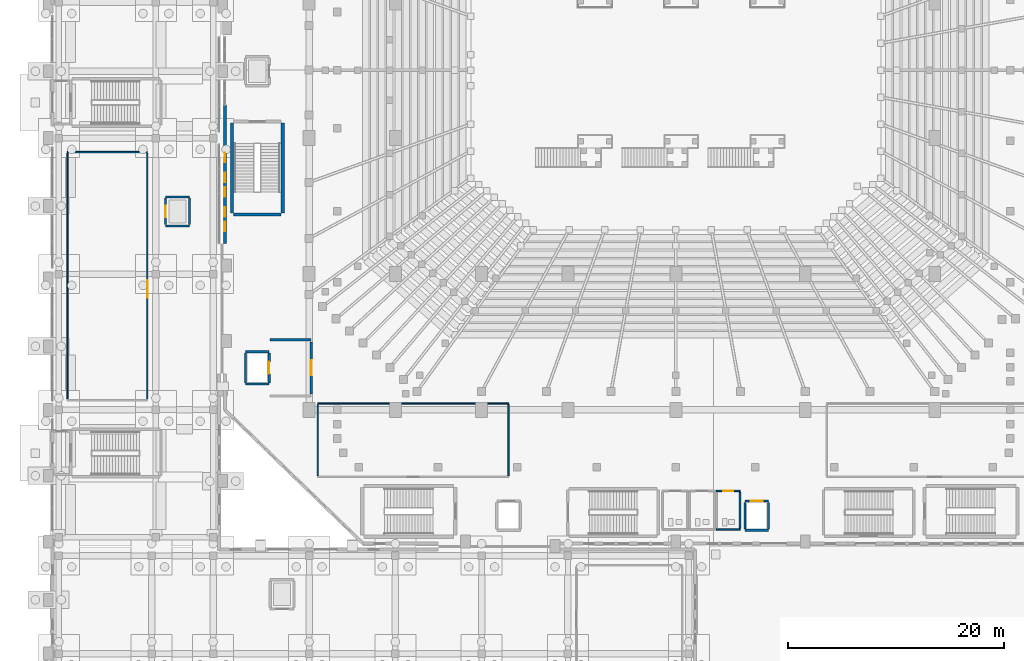
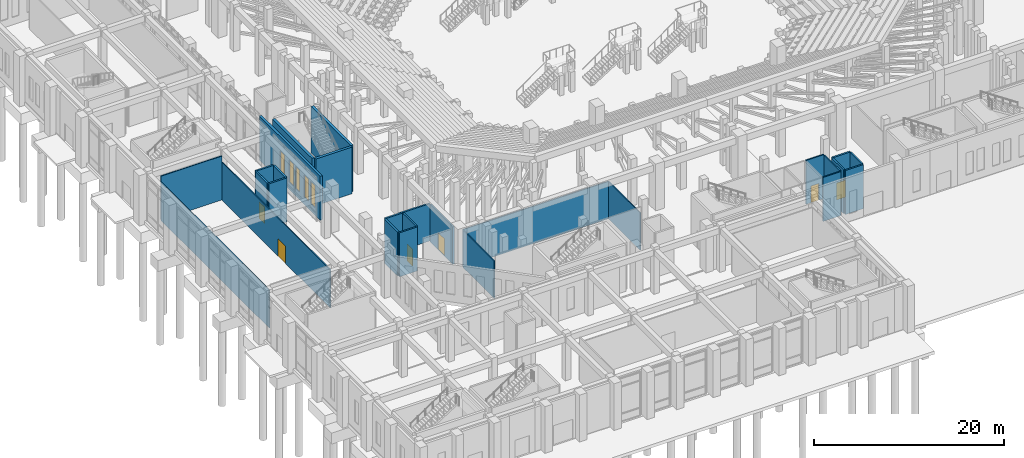
# One storey, part 107 of 143: 27 walls, 6 doors, 5 windows, 11 openings.
"""IFC4 building model written with IfcOpenShell, lengths in metres."""

from ifc_helpers import new_model, si_unit, derived_unit, direction, frame, frame_2d, origin, place, context, subcontext, project, spatial, rectangle, extrude, material, layer, layer_set, type_object, element, fill, save


model = new_model("IFC4")

# Units and contexts
model_context = context("Model", 3, precision=1e-05, world=origin(), true_north=direction((0.0, 1.0)))
body_context = subcontext(model_context, "Body", "Model", "MODEL_VIEW")
ifc_project = project(units=[si_unit("LENGTHUNIT", "METRE"), si_unit("AREAUNIT", "SQUARE_METRE"), si_unit("VOLUMEUNIT", "CUBIC_METRE"), si_unit("PLANEANGLEUNIT", "RADIAN"), si_unit("MASSUNIT", "GRAM", prefix="KILO"), derived_unit("THERMALTRANSMITTANCEUNIT", [(si_unit("MASSUNIT", "GRAM", prefix="KILO"), 1), (si_unit("TIMEUNIT", "SECOND"), -3), (si_unit("THERMODYNAMICTEMPERATUREUNIT", "KELVIN"), -1)])], contexts=[model_context])

# Site, building, storey
site_placement = place(None, origin())
site = spatial("IfcSite", under=ifc_project, at=site_placement, CompositionType="ELEMENT")
building_placement = place(site_placement, origin())
building = spatial("IfcBuilding", under=site, at=building_placement, Name="Valcora Ridge Arena", CompositionType="ELEMENT")
storey_placement = place(building_placement, origin())
storey = spatial("IfcBuildingStorey", under=building, at=storey_placement, Name="L00", CompositionType="ELEMENT", Elevation=0.0)

# Wall, openings, windows
ifc_material_1 = material(Name="Bush-hammered Andean travertine on concrete backup C40/50", Category="masonry")
ifc_layer_1 = layer(ifc_material_1, 0.280029296875, Name="Bush-hammered Andean travertine on concrete backup C40/50")
ifc_layer_set_1 = layer_set([ifc_layer_1], Name="Bush-hammered Andean travertine on concrete backup C40/50")
wall_type_1 = type_object("IfcWallType", Name="TY-WALL-EW-TRV-28-56", PredefinedType="STANDARD", material=ifc_layer_set_1)
wall_1_placement = place(storey_placement, frame((16.199951171875, 48.050048828125, 0.0), z_axis=(0.0, 0.0, 1.0), x_axis=(0.0, 1.0, 0.0)))
wall_1 = element("IfcWall", 1, at=wall_1_placement, inside=storey, type_object=wall_type_1, Name="EW-TRV-28-56 WAL-EW-0026", PredefinedType="STANDARD", context=body_context, shape_type="SweptSolid", body=[
    extrude(rectangle(XDim=12.800048828125, YDim=0.280029296875, at=frame_2d((6.39990234375, 0.0))), origin(), (0.0, 0.0, 1.0), 5.639892578125),
])
opening_1_placement = place(wall_1_placement, frame((1.10009765625, 0.0, 0.949951171875)))
opening_1 = element("IfcOpeningElement", 2, at=opening_1_placement, cuts=wall_1, Name="Opening W-GLAN-90X285", PredefinedType="OPENING", context=body_context, shape_type="SweptSolid", body=[
    extrude(rectangle(XDim=0.89990234375, YDim=2.85009765625, at=frame_2d((0.449951171875, 1.425048828125))), frame((0.0, 0.14990234375, 0.0), z_axis=(0.0, -1.0, 0.0), x_axis=(1.0, 0.0, 0.0)), (0.0, 0.0, 1.0), 0.300048828125),
])
opening_2_placement = place(wall_1_placement, frame((2.449951171875, 0.0, 0.949951171875)))
opening_2 = element("IfcOpeningElement", 3, at=opening_2_placement, cuts=wall_1, Name="Opening W-GLAN-90X285", PredefinedType="OPENING", context=body_context, shape_type="SweptSolid", body=[
    extrude(rectangle(XDim=0.89990234375, YDim=2.85009765625, at=frame_2d((0.449951171875, 1.425048828125))), frame((0.0, 0.14990234375, 0.0), z_axis=(0.0, -1.0, 0.0), x_axis=(1.0, 0.0, 0.0)), (0.0, 0.0, 1.0), 0.300048828125),
])
opening_3_placement = place(wall_1_placement, frame((4.300048828125, 0.0, 0.949951171875)))
opening_3 = element("IfcOpeningElement", 4, at=opening_3_placement, cuts=wall_1, Name="Opening W-GLAN-90X285", PredefinedType="OPENING", context=body_context, shape_type="SweptSolid", body=[
    extrude(rectangle(XDim=0.89990234375, YDim=2.85009765625, at=frame_2d((0.449951171875, 1.425048828125))), frame((0.0, 0.14990234375, 0.0), z_axis=(0.0, -1.0, 0.0), x_axis=(1.0, 0.0, 0.0)), (0.0, 0.0, 1.0), 0.300048828125),
])
opening_4_placement = place(wall_1_placement, frame((5.64990234375, 0.0, 0.949951171875)))
opening_4 = element("IfcOpeningElement", 5, at=opening_4_placement, cuts=wall_1, Name="Opening W-GLAN-90X285", PredefinedType="OPENING", context=body_context, shape_type="SweptSolid", body=[
    extrude(rectangle(XDim=0.89990234375, YDim=2.85009765625, at=frame_2d((0.449951171875, 1.425048828125))), frame((0.0, 0.14990234375, 0.0), z_axis=(0.0, -1.0, 0.0), x_axis=(1.0, 0.0, 0.0)), (0.0, 0.0, 1.0), 0.300048828125),
])
opening_5_placement = place(wall_1_placement, frame((7.5, 0.0, 0.949951171875)))
opening_5 = element("IfcOpeningElement", 6, at=opening_5_placement, cuts=wall_1, Name="Opening W-GLAN-90X285", PredefinedType="OPENING", context=body_context, shape_type="SweptSolid", body=[
    extrude(rectangle(XDim=0.89990234375, YDim=2.85009765625, at=frame_2d((0.449951171875, 1.425048828125))), frame((0.0, 0.14990234375, 0.0), z_axis=(0.0, -1.0, 0.0), x_axis=(1.0, 0.0, 0.0)), (0.0, 0.0, 1.0), 0.300048828125),
])
ifc_material_2 = material(Name="Low-iron solar-control double glazing SHGC 0.28", Category="glass")
window_type = type_object("IfcWindowType", Name="TY-WINDOW-W-GLAN-90X285", PartitioningType="DOUBLE_PANEL_VERTICAL", PredefinedType="WINDOW", material=ifc_material_2)
window_1_placement = place(opening_1_placement, origin())
window_1 = element("IfcWindow", 7, at=window_1_placement, inside=storey, type_object=window_type, Name="W-GLAN-90X285 WIN-EX-0025", OverallHeight=2.85009765625, OverallWidth=0.89990234375, PartitioningType="DOUBLE_PANEL_VERTICAL", PredefinedType="WINDOW", context=body_context, shape_type="SweptSolid", body=[
    extrude(rectangle(XDim=0.89990234375, YDim=2.85009765625, at=frame_2d((0.449951171875, 1.425048828125))), frame((0.0, 0.030029296875, 0.0), z_axis=(0.0, -1.0, 0.0), x_axis=(1.0, 0.0, 0.0)), (0.0, 0.0, 1.0), 0.06005859375),
])
fill(opening_1, window_1)
window_2_placement = place(opening_2_placement, origin())
window_2 = element("IfcWindow", 8, at=window_2_placement, inside=storey, type_object=window_type, Name="W-GLAN-90X285 WIN-EX-0026", OverallHeight=2.85009765625, OverallWidth=0.89990234375, PartitioningType="DOUBLE_PANEL_VERTICAL", PredefinedType="WINDOW", context=body_context, shape_type="SweptSolid", body=[
    extrude(rectangle(XDim=0.89990234375, YDim=2.85009765625, at=frame_2d((0.449951171875, 1.425048828125))), frame((0.0, 0.030029296875, 0.0), z_axis=(0.0, -1.0, 0.0), x_axis=(1.0, 0.0, 0.0)), (0.0, 0.0, 1.0), 0.06005859375),
])
fill(opening_2, window_2)
window_3_placement = place(opening_3_placement, origin())
window_3 = element("IfcWindow", 9, at=window_3_placement, inside=storey, type_object=window_type, Name="W-GLAN-90X285 WIN-EX-0027", OverallHeight=2.85009765625, OverallWidth=0.89990234375, PartitioningType="DOUBLE_PANEL_VERTICAL", PredefinedType="WINDOW", context=body_context, shape_type="SweptSolid", body=[
    extrude(rectangle(XDim=0.89990234375, YDim=2.85009765625, at=frame_2d((0.449951171875, 1.425048828125))), frame((0.0, 0.030029296875, 0.0), z_axis=(0.0, -1.0, 0.0), x_axis=(1.0, 0.0, 0.0)), (0.0, 0.0, 1.0), 0.06005859375),
])
fill(opening_3, window_3)
window_4_placement = place(opening_4_placement, origin())
window_4 = element("IfcWindow", 10, at=window_4_placement, inside=storey, type_object=window_type, Name="W-GLAN-90X285 WIN-EX-0028", OverallHeight=2.85009765625, OverallWidth=0.89990234375, PartitioningType="DOUBLE_PANEL_VERTICAL", PredefinedType="WINDOW", context=body_context, shape_type="SweptSolid", body=[
    extrude(rectangle(XDim=0.89990234375, YDim=2.85009765625, at=frame_2d((0.449951171875, 1.425048828125))), frame((0.0, 0.030029296875, 0.0), z_axis=(0.0, -1.0, 0.0), x_axis=(1.0, 0.0, 0.0)), (0.0, 0.0, 1.0), 0.06005859375),
])
fill(opening_4, window_4)
window_5_placement = place(opening_5_placement, origin())
window_5 = element("IfcWindow", 11, at=window_5_placement, inside=storey, type_object=window_type, Name="W-GLAN-90X285 WIN-EX-0029", OverallHeight=2.85009765625, OverallWidth=0.89990234375, PartitioningType="DOUBLE_PANEL_VERTICAL", PredefinedType="WINDOW", context=body_context, shape_type="SweptSolid", body=[
    extrude(rectangle(XDim=0.89990234375, YDim=2.85009765625, at=frame_2d((0.449951171875, 1.425048828125))), frame((0.0, 0.030029296875, 0.0), z_axis=(0.0, -1.0, 0.0), x_axis=(1.0, 0.0, 0.0)), (0.0, 0.0, 1.0), 0.06005859375),
])
fill(opening_5, window_5)

# Wall
ifc_material_3 = material(Name="Fire-rated masonry-core compartment wall C35/45 150 mm", Category="masonry")
ifc_layer_2 = layer(ifc_material_3, 0.14990234375, Name="Fire-rated masonry-core compartment wall C35/45 150 mm")
ifc_layer_set_2 = layer_set([ifc_layer_2], Name="Fire-rated masonry-core compartment wall C35/45 150 mm")
wall_type_2 = type_object("IfcWallType", Name="TY-WALL-IW-COMP-150", PredefinedType="STANDARD", material=ifc_layer_set_2)
wall_2_placement = place(storey_placement, frame((61.75, 21.5, 0.0), z_axis=(0.0, 0.0, 1.0), x_axis=(1.0, 0.0, 0.0)))
element("IfcWall", 12, at=wall_2_placement, inside=storey, type_object=wall_type_2, Name="IW-COMP-150 WAL-IN-0067", PredefinedType="STANDARD", context=body_context, shape_type="SweptSolid", body=[
    extrude(rectangle(XDim=2.199951171875, YDim=0.14990234375, at=frame_2d((1.10009765625, 0.0))), origin(), (0.0, 0.0, 1.0), 5.639892578125),
])

# Wall, opening, door
wall_3_placement = place(storey_placement, frame((61.75, 25.10009765625, 0.0), z_axis=(0.0, 0.0, 1.0), x_axis=(1.0, 0.0, 0.0)))
wall_3 = element("IfcWall", 13, at=wall_3_placement, inside=storey, type_object=wall_type_2, Name="IW-COMP-150 WAL-IN-0068", PredefinedType="STANDARD", context=body_context, shape_type="SweptSolid", body=[
    extrude(rectangle(XDim=2.199951171875, YDim=0.14990234375, at=frame_2d((1.10009765625, 0.0))), origin(), (0.0, 0.0, 1.0), 5.639892578125),
])
opening_6_placement = place(wall_3_placement, frame((0.625, 0.0, 0.0)))
opening_6 = element("IfcOpeningElement", 14, at=opening_6_placement, cuts=wall_3, Name="Opening D-WC-950", PredefinedType="OPENING", context=body_context, shape_type="SweptSolid", body=[
    extrude(rectangle(XDim=0.949951171875, YDim=2.14990234375, at=frame_2d((0.47509765625, 1.074951171875))), frame((0.0, 0.0849609375, 0.0), z_axis=(0.0, -1.0, 0.0), x_axis=(1.0, 0.0, 0.0)), (0.0, 0.0, 1.0), 0.169921875),
])
ifc_material_4 = material(Name="Insulated fire-rated steel door leaf", Category="steel")
door_type_1 = type_object("IfcDoorType", Name="TY-DOOR-D-WC-950", OperationType="NOTDEFINED", PredefinedType="DOOR", material=ifc_material_4)
door_1_placement = place(opening_6_placement, origin())
door_1 = element("IfcDoor", 15, at=door_1_placement, inside=storey, type_object=door_type_1, Name="D-WC-950 DOR-IN-0021", OperationType="SINGLE_SWING_LEFT", OverallHeight=2.14990234375, OverallWidth=0.949951171875, PredefinedType="DOOR", context=body_context, shape_type="SweptSolid", body=[
    extrude(rectangle(XDim=0.949951171875, YDim=2.14990234375, at=frame_2d((0.47509765625, 1.074951171875))), frame((0.0, 0.02490234375, 0.0), z_axis=(0.0, -1.0, 0.0), x_axis=(1.0, 0.0, 0.0)), (0.0, 0.0, 1.0), 0.050048828125),
])
fill(opening_6, door_1)

# Walls
wall_4_placement = place(storey_placement, frame((63.949951171875, 21.64990234375, 0.0), z_axis=(0.0, 0.0, 1.0), x_axis=(0.0, 1.0, 0.0)))
element("IfcWall", 16, at=wall_4_placement, inside=storey, type_object=wall_type_2, Name="IW-COMP-150 WAL-IN-0070", PredefinedType="STANDARD", context=body_context, shape_type="SweptSolid", body=[
    extrude(rectangle(XDim=3.300048828125, YDim=0.14990234375, at=frame_2d((1.64990234375, 0.0))), origin(), (0.0, 0.0, 1.0), 5.639892578125),
])
ifc_material_5 = material(Name="Fire-resisting reinforced concrete enclosure C40/50 200 mm", Category="concrete")
ifc_layer_3 = layer(ifc_material_5, 0.199951171875, Name="Fire-resisting reinforced concrete enclosure C40/50 200 mm")
ifc_layer_set_3 = layer_set([ifc_layer_3], Name="Fire-resisting reinforced concrete enclosure C40/50 200 mm")
wall_type_3 = type_object("IfcWallType", Name="TY-WALL-IW-FIRE-200", PredefinedType="STANDARD", material=ifc_layer_set_3)
wall_5_placement = place(storey_placement, frame((20.39990234375, 39.10009765625, 0.0), z_axis=(0.0, 0.0, 1.0), x_axis=(1.0, 0.0, 0.0)))
element("IfcWall", 17, at=wall_5_placement, inside=storey, type_object=wall_type_3, Name="IW-FIRE-200 WAL-IN-0005", PredefinedType="STANDARD", context=body_context, shape_type="SweptSolid", body=[
    extrude(rectangle(XDim=3.800048828125, YDim=0.199951171875, at=frame_2d((1.89990234375, 0.0))), origin(), (0.0, 0.0, 1.0), 4.7900390625),
])

# Wall, opening, door
wall_6_placement = place(storey_placement, frame((24.199951171875, 34.10009765625, 0.0), z_axis=(0.0, 0.0, 1.0), x_axis=(0.0, 1.0, 0.0)))
wall_6 = element("IfcWall", 18, at=wall_6_placement, inside=storey, type_object=wall_type_3, Name="IW-FIRE-200 WAL-IN-0006", PredefinedType="STANDARD", context=body_context, shape_type="SweptSolid", body=[
    extrude(rectangle(XDim=4.7998046875, YDim=0.199951171875, at=frame_2d((2.39990234375, 0.0))), origin(), (0.0, 0.0, 1.0), 4.7900390625),
])
opening_7_placement = place(wall_6_placement, frame((1.699951171875, 0.0, 0.0)))
opening_7 = element("IfcOpeningElement", 19, at=opening_7_placement, cuts=wall_6, Name="Opening FD-FFL-1400", PredefinedType="OPENING", context=body_context, shape_type="SweptSolid", body=[
    extrude(rectangle(XDim=1.39990234375, YDim=2.199951171875, at=frame_2d((0.699951171875, 1.10009765625))), frame((0.0, 0.10986328125, 0.0), z_axis=(0.0, -1.0, 0.0), x_axis=(1.0, 0.0, 0.0)), (0.0, 0.0, 1.0), 0.219970703125),
])
door_type_2 = type_object("IfcDoorType", Name="TY-DOOR-FD-FFL-1400", OperationType="NOTDEFINED", PredefinedType="DOOR", material=ifc_material_4)
door_2_placement = place(opening_7_placement, origin())
door_2 = element("IfcDoor", 20, at=door_2_placement, inside=storey, type_object=door_type_2, Name="FD-FFL-1400 DOR-IN-0002", OperationType="DOUBLE_DOOR_SINGLE_SWING", OverallHeight=2.199951171875, OverallWidth=1.39990234375, PredefinedType="DOOR", context=body_context, shape_type="SweptSolid", body=[
    extrude(rectangle(XDim=1.39990234375, YDim=2.199951171875, at=frame_2d((0.699951171875, 1.10009765625))), frame((0.0, 0.02490234375, 0.0), z_axis=(0.0, -1.0, 0.0), x_axis=(1.0, 0.0, 0.0)), (0.0, 0.0, 1.0), 0.050048828125),
])
fill(opening_7, door_2)

# Walls
ifc_material_6 = material(Name="Acoustic metal-stud gypsum partition 120 mm")
ifc_layer_4 = layer(ifc_material_6, 0.1201171875, Name="Acoustic metal-stud gypsum partition 120 mm")
ifc_layer_set_4 = layer_set([ifc_layer_4], Name="Acoustic metal-stud gypsum partition 120 mm")
wall_type_4 = type_object("IfcWallType", Name="TY-WALL-IW-PART-120", PredefinedType="PARTITIONING", material=ifc_layer_set_4)
wall_7_placement = place(storey_placement, frame((24.800048828125, 33.199951171875, 0.0), z_axis=(0.0, 0.0, 1.0), x_axis=(1.0, 0.0, 0.0)))
element("IfcWall", 21, at=wall_7_placement, inside=storey, type_object=wall_type_4, Name="IW-PART-120 WAL-IN-0224", PredefinedType="PARTITIONING", context=body_context, shape_type="SweptSolid", body=[
    extrude(rectangle(XDim=17.699951171875, YDim=0.1201171875, at=frame_2d((8.85009765625, 0.0))), origin(), (0.0, 0.0, 1.0), 4.7900390625),
])
for number, where, z_axis, x_axis, name in (
    (22, (24.800048828125, 26.52001953125, 0.0), (0.0, 0.0, 1.0), (0.0, 1.0, 0.0), "IW-PART-120 WAL-IN-0225"),
    (23, (42.5, 26.52001953125, 0.0), (0.0, 0.0, 1.0), (0.0, 1.0, 0.0), "IW-PART-120 WAL-IN-0226"),
):
    element("IfcWall", number, at=place(storey_placement, frame(where, z_axis=z_axis, x_axis=x_axis)), inside=storey, type_object=wall_type_4, Name=name, PredefinedType="PARTITIONING", context=body_context, shape_type="SweptSolid", body=[
        extrude(rectangle(XDim=6.56005859375, YDim=0.1201171875, at=frame_2d((3.280029296875, 0.0))), origin(), (0.0, 0.0, 1.0), 4.7900390625),
    ])
wall_8_placement = place(storey_placement, frame((1.60009765625, 56.5, 0.0), z_axis=(0.0, 0.0, 1.0), x_axis=(1.0, 0.0, 0.0)))
element("IfcWall", 24, at=wall_8_placement, inside=storey, type_object=wall_type_4, Name="IW-PART-120 WAL-IN-0266", PredefinedType="PARTITIONING", context=body_context, shape_type="SweptSolid", body=[
    extrude(rectangle(XDim=7.39990234375, YDim=0.1201171875, at=frame_2d((3.699951171875, 0.0))), origin(), (0.0, 0.0, 1.0), 5.639892578125),
])
wall_9_placement = place(storey_placement, frame((1.60009765625, 33.6201171875, 0.0), z_axis=(0.0, 0.0, 1.0), x_axis=(0.0, 1.0, 0.0)))
element("IfcWall", 25, at=wall_9_placement, inside=storey, type_object=wall_type_4, Name="IW-PART-120 WAL-IN-0267", PredefinedType="PARTITIONING", context=body_context, shape_type="SweptSolid", body=[
    extrude(rectangle(XDim=22.759765625, YDim=0.1201171875, at=frame_2d((11.3798828125, 0.0))), origin(), (0.0, 0.0, 1.0), 4.889892578125),
])

# Wall, opening, door
wall_10_placement = place(storey_placement, frame((9.0, 33.6201171875, 0.0), z_axis=(0.0, 0.0, 1.0), x_axis=(0.0, 1.0, 0.0)))
wall_10 = element("IfcWall", 26, at=wall_10_placement, inside=storey, type_object=wall_type_4, Name="IW-PART-120 WAL-IN-0268", PredefinedType="PARTITIONING", context=body_context, shape_type="SweptSolid", body=[
    extrude(rectangle(XDim=22.759765625, YDim=0.1201171875, at=frame_2d((11.3798828125, 0.0))), origin(), (0.0, 0.0, 1.0), 4.889892578125),
])
opening_8_placement = place(wall_10_placement, frame((9.3798828125, 0.0, 0.0)))
opening_8 = element("IfcOpeningElement", 27, at=opening_8_placement, cuts=wall_10, Name="Opening D-PUB-1600", PredefinedType="OPENING", context=body_context, shape_type="SweptSolid", body=[
    extrude(rectangle(XDim=1.60009765625, YDim=2.25, at=frame_2d((0.800048828125, 1.125))), frame((0.0, 0.070068359375, 0.0), z_axis=(0.0, -1.0, 0.0), x_axis=(1.0, 0.0, 0.0)), (0.0, 0.0, 1.0), 0.14013671875),
])
ifc_material_7 = material(Name="Solid-core acoustic timber veneer door leaf", Category="wood")
door_type_3 = type_object("IfcDoorType", Name="TY-DOOR-D-PUB-1600", OperationType="NOTDEFINED", PredefinedType="DOOR", material=ifc_material_7)
door_3_placement = place(opening_8_placement, origin())
door_3 = element("IfcDoor", 28, at=door_3_placement, inside=storey, type_object=door_type_3, Name="D-PUB-1600 DOR-IN-0071", OperationType="DOUBLE_DOOR_SINGLE_SWING", OverallHeight=2.25, OverallWidth=1.60009765625, PredefinedType="DOOR", context=body_context, shape_type="SweptSolid", body=[
    extrude(rectangle(XDim=1.60009765625, YDim=2.25, at=frame_2d((0.800048828125, 1.125))), frame((0.0, 0.02490234375, 0.0), z_axis=(0.0, -1.0, 0.0), x_axis=(1.0, 0.0, 0.0)), (0.0, 0.0, 1.0), 0.050048828125),
])
fill(opening_8, door_3)

# Walls
ifc_material_8 = material(Name="Concrete C40/50", Category="concrete")
ifc_layer_5 = layer(ifc_material_8, 0.199951171875, Name="Concrete C40/50")
ifc_layer_set_5 = layer_set([ifc_layer_5], Name="Concrete C40/50")
wall_type_5 = type_object("IfcWallType", Name="TY-WALL-IW-SHF-200", PredefinedType="STANDARD", material=ifc_layer_set_5)
for number, where, z_axis, x_axis, name in (
    (29, (18.10009765625, 35.0, 0.0), (0.0, 0.0, 1.0), (1.0, 0.0, 0.0), "IW-SHF-200 WAL-SH-0005"),
    (30, (18.10009765625, 38.0, 0.0), (0.0, 0.0, 1.0), (1.0, 0.0, 0.0), "IW-SHF-200 WAL-SH-0006"),
):
    element("IfcWall", number, at=place(storey_placement, frame(where, z_axis=z_axis, x_axis=x_axis)), inside=storey, type_object=wall_type_5, Name=name, PredefinedType="STANDARD", context=body_context, shape_type="SweptSolid", body=[
        extrude(rectangle(XDim=2.199951171875, YDim=0.199951171875, at=frame_2d((1.10009765625, 0.0))), origin(), (0.0, 0.0, 1.0), 5.639892578125),
    ])
wall_11_placement = place(storey_placement, frame((18.10009765625, 35.1201171875, 0.0), z_axis=(0.0, 0.0, 1.0), x_axis=(0.0, 1.0, 0.0)))
element("IfcWall", 31, at=wall_11_placement, inside=storey, type_object=wall_type_5, Name="IW-SHF-200 WAL-SH-0007", PredefinedType="STANDARD", context=body_context, shape_type="SweptSolid", body=[
    extrude(rectangle(XDim=2.759765625, YDim=0.199951171875, at=frame_2d((1.3798828125, 0.0))), origin(), (0.0, 0.0, 1.0), 5.639892578125),
])

# Wall, opening, door
wall_12_placement = place(storey_placement, frame((20.300048828125, 35.1201171875, 0.0), z_axis=(0.0, 0.0, 1.0), x_axis=(0.0, 1.0, 0.0)))
wall_12 = element("IfcWall", 32, at=wall_12_placement, inside=storey, type_object=wall_type_5, Name="IW-SHF-200 WAL-SH-0008", PredefinedType="STANDARD", context=body_context, shape_type="SweptSolid", body=[
    extrude(rectangle(XDim=2.759765625, YDim=0.199951171875, at=frame_2d((1.3798828125, 0.0))), origin(), (0.0, 0.0, 1.0), 5.639892578125),
])
opening_9_placement = place(wall_12_placement, frame((0.830078125, 0.0, 0.0)))
opening_9 = element("IfcOpeningElement", 33, at=opening_9_placement, cuts=wall_12, Name="Opening LD-FF", PredefinedType="OPENING", context=body_context, shape_type="SweptSolid", body=[
    extrude(rectangle(XDim=1.10009765625, YDim=2.14990234375, at=frame_2d((0.550048828125, 1.074951171875))), frame((0.0, 0.10986328125, 0.0), z_axis=(0.0, -1.0, 0.0), x_axis=(1.0, 0.0, 0.0)), (0.0, 0.0, 1.0), 0.219970703125),
])
ifc_material_9 = material(Name="Insulated fire-rated hollow metal steel", Category="steel")
door_type_4 = type_object("IfcDoorType", Name="TY-DOOR-LD-FF", OperationType="NOTDEFINED", PredefinedType="DOOR", material=ifc_material_9)
door_4_placement = place(opening_9_placement, origin())
door_4 = element("IfcDoor", 34, at=door_4_placement, inside=storey, type_object=door_type_4, Name="FFL1 Landing Door L00", OperationType="SLIDING_TO_LEFT", OverallHeight=2.14990234375, OverallWidth=1.10009765625, PredefinedType="DOOR", context=body_context, shape_type="SweptSolid", body=[
    extrude(rectangle(XDim=1.10009765625, YDim=2.14990234375, at=frame_2d((0.550048828125, 1.074951171875))), frame((0.0, 0.02490234375, 0.0), z_axis=(0.0, -1.0, 0.0), x_axis=(1.0, 0.0, 0.0)), (0.0, 0.0, 1.0), 0.050048828125),
])
fill(opening_9, door_4)

# Wall
wall_13_placement = place(storey_placement, frame((64.39990234375, 21.449951171875, 0.0), z_axis=(0.0, 0.0, 1.0), x_axis=(1.0, 0.0, 0.0)))
element("IfcWall", 35, at=wall_13_placement, inside=storey, type_object=wall_type_5, Name="IW-SHF-200 WAL-SH-0085", PredefinedType="STANDARD", context=body_context, shape_type="SweptSolid", body=[
    extrude(rectangle(XDim=2.2001953125, YDim=0.199951171875, at=frame_2d((1.10009765625, 0.0))), origin(), (0.0, 0.0, 1.0), 5.639892578125),
])

# Wall, opening, door
wall_14_placement = place(storey_placement, frame((64.39990234375, 24.14990234375, 0.0), z_axis=(0.0, 0.0, 1.0), x_axis=(1.0, 0.0, 0.0)))
wall_14 = element("IfcWall", 36, at=wall_14_placement, inside=storey, type_object=wall_type_5, Name="IW-SHF-200 WAL-SH-0086", PredefinedType="STANDARD", context=body_context, shape_type="SweptSolid", body=[
    extrude(rectangle(XDim=2.2001953125, YDim=0.199951171875, at=frame_2d((1.10009765625, 0.0))), origin(), (0.0, 0.0, 1.0), 5.639892578125),
])
opening_10_placement = place(wall_14_placement, frame((0.550048828125, 0.0, 0.0)))
opening_10 = element("IfcOpeningElement", 37, at=opening_10_placement, cuts=wall_14, Name="Opening LD-PAX", PredefinedType="OPENING", context=body_context, shape_type="SweptSolid", body=[
    extrude(rectangle(XDim=1.10009765625, YDim=2.14990234375, at=frame_2d((0.550048828125, 1.074951171875))), frame((0.0, 0.10986328125, 0.0), z_axis=(0.0, -1.0, 0.0), x_axis=(1.0, 0.0, 0.0)), (0.0, 0.0, 1.0), 0.219970703125),
])
door_type_5 = type_object("IfcDoorType", Name="TY-DOOR-LD-PAX", OperationType="NOTDEFINED", PredefinedType="DOOR", material=ifc_material_9)
door_5_placement = place(opening_10_placement, origin())
door_5 = element("IfcDoor", 38, at=door_5_placement, inside=storey, type_object=door_type_5, Name="PL2 Landing Door L00", OperationType="SLIDING_TO_LEFT", OverallHeight=2.14990234375, OverallWidth=1.10009765625, PredefinedType="DOOR", context=body_context, shape_type="SweptSolid", body=[
    extrude(rectangle(XDim=1.10009765625, YDim=2.14990234375, at=frame_2d((0.550048828125, 1.074951171875))), frame((0.0, 0.02490234375, 0.0), z_axis=(0.0, -1.0, 0.0), x_axis=(1.0, 0.0, 0.0)), (0.0, 0.0, 1.0), 0.050048828125),
])
fill(opening_10, door_5)

# Walls
for number, where, z_axis, x_axis, name in (
    (39, (64.39990234375, 21.570068359375, 0.0), (0.0, 0.0, 1.0), (0.0, 1.0, 0.0), "IW-SHF-200 WAL-SH-0087"),
    (40, (66.60009765625, 21.570068359375, 0.0), (0.0, 0.0, 1.0), (0.0, 1.0, 0.0), "IW-SHF-200 WAL-SH-0088"),
):
    element("IfcWall", number, at=place(storey_placement, frame(where, z_axis=z_axis, x_axis=x_axis)), inside=storey, type_object=wall_type_5, Name=name, PredefinedType="STANDARD", context=body_context, shape_type="SweptSolid", body=[
        extrude(rectangle(XDim=2.4599609375, YDim=0.199951171875, at=frame_2d((1.22998046875, 0.0))), origin(), (0.0, 0.0, 1.0), 5.639892578125),
    ])
for number, where, z_axis, x_axis, name in (
    (41, (10.699951171875, 49.64990234375, 0.0), (0.0, 0.0, 1.0), (1.0, 0.0, 0.0), "IW-SHF-200 WAL-SH-0193"),
    (42, (10.699951171875, 52.35009765625, 0.0), (0.0, 0.0, 1.0), (1.0, 0.0, 0.0), "IW-SHF-200 WAL-SH-0194"),
):
    element("IfcWall", number, at=place(storey_placement, frame(where, z_axis=z_axis, x_axis=x_axis)), inside=storey, type_object=wall_type_5, Name=name, PredefinedType="STANDARD", context=body_context, shape_type="SweptSolid", body=[
        extrude(rectangle(XDim=2.199951171875, YDim=0.199951171875, at=frame_2d((1.10009765625, 0.0))), origin(), (0.0, 0.0, 1.0), 5.639892578125),
    ])

# Wall, opening, door
wall_15_placement = place(storey_placement, frame((10.699951171875, 49.77001953125, 0.0), z_axis=(0.0, 0.0, 1.0), x_axis=(0.0, 1.0, 0.0)))
wall_15 = element("IfcWall", 43, at=wall_15_placement, inside=storey, type_object=wall_type_5, Name="IW-SHF-200 WAL-SH-0195", PredefinedType="STANDARD", context=body_context, shape_type="SweptSolid", body=[
    extrude(rectangle(XDim=2.4599609375, YDim=0.199951171875, at=frame_2d((1.22998046875, 0.0))), origin(), (0.0, 0.0, 1.0), 5.639892578125),
])
opening_11_placement = place(wall_15_placement, frame((0.679931640625, 0.0, 0.0)))
opening_11 = element("IfcOpeningElement", 44, at=opening_11_placement, cuts=wall_15, Name="Opening LD-PAX", PredefinedType="OPENING", context=body_context, shape_type="SweptSolid", body=[
    extrude(rectangle(XDim=1.10009765625, YDim=2.14990234375, at=frame_2d((0.550048828125, 1.074951171875))), frame((0.0, 0.10986328125, 0.0), z_axis=(0.0, -1.0, 0.0), x_axis=(1.0, 0.0, 0.0)), (0.0, 0.0, 1.0), 0.219970703125),
])
door_6_placement = place(opening_11_placement, origin())
door_6 = element("IfcDoor", 45, at=door_6_placement, inside=storey, type_object=door_type_5, Name="CL2 Landing Door L00", OperationType="SLIDING_TO_LEFT", OverallHeight=2.14990234375, OverallWidth=1.10009765625, PredefinedType="DOOR", context=body_context, shape_type="SweptSolid", body=[
    extrude(rectangle(XDim=1.10009765625, YDim=2.14990234375, at=frame_2d((0.550048828125, 1.074951171875))), frame((0.0, 0.02490234375, 0.0), z_axis=(0.0, -1.0, 0.0), x_axis=(1.0, 0.0, 0.0)), (0.0, 0.0, 1.0), 0.050048828125),
])
fill(opening_11, door_6)

# Walls
wall_16_placement = place(storey_placement, frame((12.89990234375, 49.77001953125, 0.0), z_axis=(0.0, 0.0, 1.0), x_axis=(0.0, 1.0, 0.0)))
element("IfcWall", 46, at=wall_16_placement, inside=storey, type_object=wall_type_5, Name="IW-SHF-200 WAL-SH-0196", PredefinedType="STANDARD", context=body_context, shape_type="SweptSolid", body=[
    extrude(rectangle(XDim=2.4599609375, YDim=0.199951171875, at=frame_2d((1.22998046875, 0.0))), origin(), (0.0, 0.0, 1.0), 5.639892578125),
])
ifc_material_10 = material(Name="Concrete C45/55", Category="concrete")
ifc_layer_6 = layer(ifc_material_10, 0.300048828125, Name="Concrete C45/55")
ifc_layer_set_6 = layer_set([ifc_layer_6], Name="Concrete C45/55")
wall_type_6 = type_object("IfcWallType", Name="TY-WALL-SW-C300-L", PredefinedType="SHEAR", material=ifc_layer_set_6)
for number, where, z_axis, x_axis, name in (
    (47, (16.85009765625, 50.8798828125, 0.0), (0.0, 0.0, 1.0), (0.0, 1.0, 0.0), "SW-C300-L WAL-CR-0111"),
    (48, (21.550048828125, 50.8798828125, 0.0), (0.0, 0.0, 1.0), (0.0, 1.0, 0.0), "SW-C300-L WAL-CR-0112"),
):
    element("IfcWall", number, at=place(storey_placement, frame(where, z_axis=z_axis, x_axis=x_axis)), inside=storey, type_object=wall_type_6, Name=name, PredefinedType="SHEAR", context=body_context, shape_type="SweptSolid", body=[
        extrude(rectangle(XDim=8.320068359375, YDim=0.300048828125, at=frame_2d((4.16015625, 0.0))), origin(), (0.0, 0.0, 1.0), 6.0),
    ])
ifc_layer_7 = layer(ifc_material_10, 0.300048828125, Name="Concrete C45/55")
ifc_layer_set_7 = layer_set([ifc_layer_7], Name="Concrete C45/55")
wall_type_7 = type_object("IfcWallType", Name="TY-WALL-SW-C300-S", PredefinedType="SHEAR", material=ifc_layer_set_7)
wall_17_placement = place(storey_placement, frame((17.0, 50.72998046875, 0.0), z_axis=(0.0, 0.0, 1.0), x_axis=(1.0, 0.0, 0.0)))
element("IfcWall", 49, at=wall_17_placement, inside=storey, type_object=wall_type_7, Name="SW-C300-S WAL-CR-0109", PredefinedType="SHEAR", context=body_context, shape_type="SweptSolid", body=[
    extrude(rectangle(XDim=4.39990234375, YDim=0.300048828125, at=frame_2d((2.199951171875, 0.0))), origin(), (0.0, 0.0, 1.0), 6.0),
])

save(model, "model.ifc")
